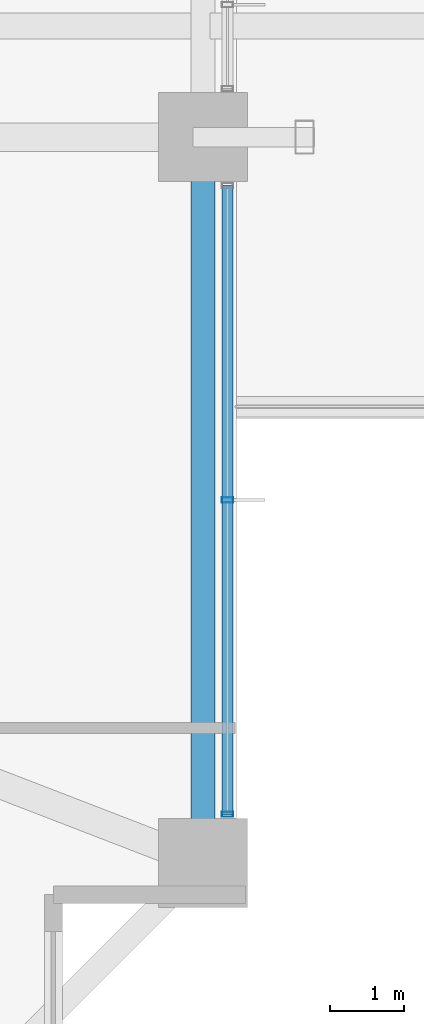
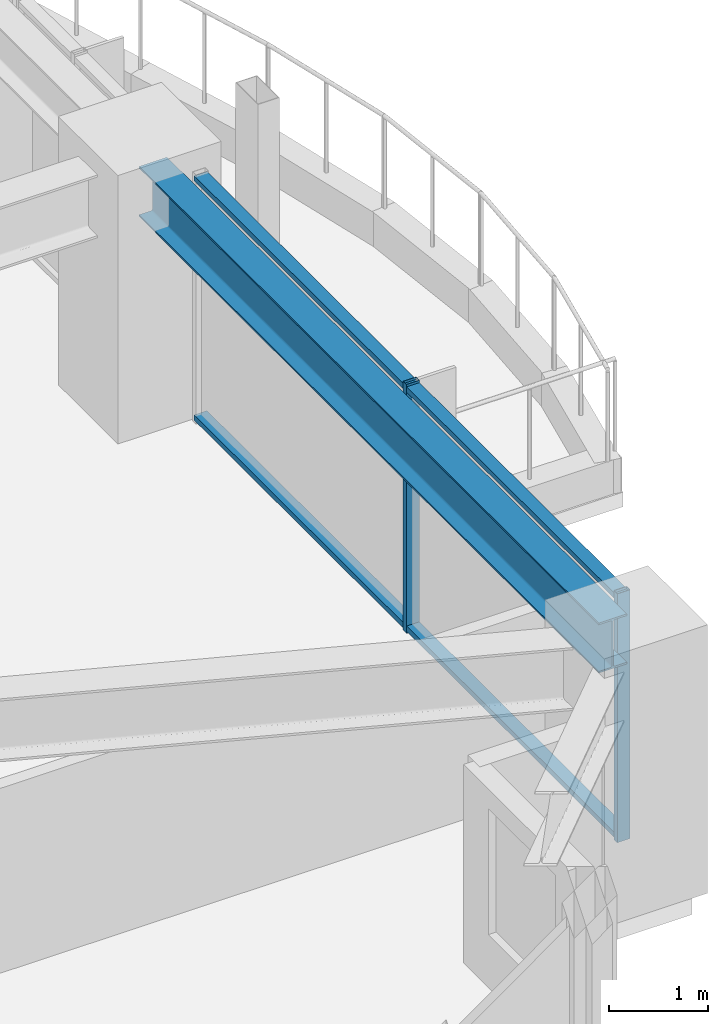
# One storey, part 13 of 36: 4 members, 1 beam, 1 element without a shape of its own.
"""IFC4 building model written with IfcOpenShell, lengths in metres."""

from ifc_helpers import new_model, si_unit, direction, frame, origin, origin_2d, place, context, subcontext, project, spatial, hollow_rectangle, i_section, extrude, material, material_profile, profile_set, type_object, element, aggregate, save


model = new_model("IFC4")

# Units and contexts
model_context = context("Model", 3, precision=1e-05, world=origin(), true_north=direction((0.0, 1.0)))
body_context = subcontext(model_context, "Body", "Model", "MODEL_VIEW")
ifc_project = project(units=[si_unit("LENGTHUNIT", "METRE"), si_unit("AREAUNIT", "SQUARE_METRE"), si_unit("VOLUMEUNIT", "CUBIC_METRE"), si_unit("PLANEANGLEUNIT", "RADIAN"), si_unit("MASSUNIT", "GRAM", prefix="KILO")], contexts=[model_context])

# Site, building, storey
site_placement = place(None, origin())
site = spatial("IfcSite", under=ifc_project, at=site_placement, CompositionType="ELEMENT")
building_placement = place(site_placement, origin())
building = spatial("IfcBuilding", under=site, at=building_placement, Name="Kolvaren Belvedere", CompositionType="ELEMENT")
storey_placement = place(building_placement, frame((0.0, 0.0, 46.89990234375)))
storey = spatial("IfcBuildingStorey", under=building, at=storey_placement, Name="L13", CompositionType="ELEMENT", Elevation=46.89990234375)

# Beam
ifc_material_1 = material(Name="Structural steel ASTM A992 Grade 50", Category="steel")
ifc_material_profile_1 = material_profile(ifc_material_1, i_section(OverallWidth=0.324951171875, OverallDepth=0.615966796875, WebThickness=0.013916015625, FlangeThickness=0.021484375, FilletRadius=0.02001953125, at=origin_2d()), Name="W24X117")
ifc_profile_set_1 = profile_set([ifc_material_profile_1], Name="Structural steel ASTM A992 Grade 50")
beam_type = type_object("IfcBeamType", Name="BM-SPAN-W24X117", PredefinedType="SPANDREL", material=ifc_profile_set_1)
beam_placement = place(storey_placement, frame((21.550048828125, -14.1298828125, 2.752197265625), z_axis=(0.0, 1.0, 0.0), x_axis=(-1.0, 0.0, 0.0)))
element("IfcBeam", 1, at=beam_placement, inside=storey, type_object=beam_type, Name="L13 Perimeter Spandrel E1-E2", PredefinedType="SPANDREL", context=body_context, shape_type="SweptSolid", body=[
    extrude(i_section(OverallWidth=0.324951171875, OverallDepth=0.615966796875, WebThickness=0.013916015625, FlangeThickness=0.021484375, FilletRadius=0.02001953125, at=origin_2d()), origin(), (0.0, 0.0, 1.0), 9.259765625),
])

# Curtain wall, members
ifc_material_2 = material(Name="Anodised pale-metal aluminium AA 6063-T6", Category="aluminium")
curtain_wall_type = type_object("IfcCurtainWallType", Name="CW-Z1-LOW", PredefinedType="NOTDEFINED", material=ifc_material_2)
curtain_wall_placement = place(storey_placement, origin())
curtain_wall = element("IfcCurtainWall", 2, at=curtain_wall_placement, inside=storey, type_object=curtain_wall_type, Name="L13 Unitised Curtain Wall FCW-L13-E2-B2", PredefinedType="NOTDEFINED")
ifc_material_3 = material(Name="Anodised pale-metal aluminium AA 6063-T6", Category="aluminium")
ifc_material_profile_2 = material_profile(ifc_material_3, hollow_rectangle(XDim=0.070068359375, YDim=0.14990234375, WallThickness=0.004150390625, at=origin_2d()), Name="ALU-MUL-150X70")
ifc_profile_set_2 = profile_set([ifc_material_profile_2], Name="Anodised pale-metal aluminium AA 6063-T6")
member_type_1 = type_object("IfcMemberType", Name="CW-MUL-150", PredefinedType="MULLION", material=ifc_profile_set_2)
member_1_placement = place(storey_placement, frame((21.8798828125, -9.5, 0.0), z_axis=(0.0, 0.0, 1.0), x_axis=(0.0, 1.0, 0.0)))
member_1 = element("IfcMember", 3, at=member_1_placement, type_object=member_type_1, Name="FCW-L13-E2-B2 Unitised Mullion 2", PredefinedType="MULLION", context=body_context, shape_type="SweptSolid", body=[
    extrude(hollow_rectangle(XDim=0.070068359375, YDim=0.14990234375, WallThickness=0.004150390625, at=origin_2d()), origin(), (0.0, 0.0, 1.0), 3.06005859375),
])
member_2_placement = place(storey_placement, frame((21.8798828125, -13.7451171875, 0.0), z_axis=(0.0, 0.0, 1.0), x_axis=(0.0, 1.0, 0.0)))
member_2 = element("IfcMember", 4, at=member_2_placement, type_object=member_type_1, Name="FCW-L13-E2-B2 Unitised Mullion 3", PredefinedType="MULLION", context=body_context, shape_type="SweptSolid", body=[
    extrude(hollow_rectangle(XDim=0.070068359375, YDim=0.14990234375, WallThickness=0.004150390625, at=origin_2d()), origin(), (0.0, 0.0, 1.0), 3.06005859375),
])
ifc_material_4 = material(Name="Anodised pale-metal aluminium AA 6063-T6", Category="aluminium")
ifc_material_profile_3 = material_profile(ifc_material_4, hollow_rectangle(XDim=0.06494140625, YDim=0.14990234375, WallThickness=0.00390625, at=origin_2d()), Name="ALU-TRN-150X65")
ifc_profile_set_3 = profile_set([ifc_material_profile_3], Name="Anodised pale-metal aluminium AA 6063-T6")
member_type_2 = type_object("IfcMemberType", Name="CW-TRN-150", PredefinedType="USERDEFINED", material=ifc_profile_set_3)
member_3_placement = place(storey_placement, frame((21.8798828125, -5.2548828125, 0.06005859375), z_axis=(0.0, -1.0, 0.0), x_axis=(0.0, 0.0, 1.0)))
member_3 = element("IfcMember", 5, at=member_3_placement, type_object=member_type_2, Name="FCW-L13-E2-B2 Sill Transom", ObjectType="TRANSOM", PredefinedType="USERDEFINED", context=body_context, shape_type="SweptSolid", body=[
    extrude(hollow_rectangle(XDim=0.06494140625, YDim=0.14990234375, WallThickness=0.00390625, at=origin_2d()), origin(), (0.0, 0.0, 1.0), 8.490234375),
])
member_4_placement = place(storey_placement, frame((21.8798828125, -5.2548828125, 3.0), z_axis=(0.0, -1.0, 0.0), x_axis=(0.0, 0.0, 1.0)))
member_4 = element("IfcMember", 6, at=member_4_placement, type_object=member_type_2, Name="FCW-L13-E2-B2 Head Transom", ObjectType="TRANSOM", PredefinedType="USERDEFINED", context=body_context, shape_type="SweptSolid", body=[
    extrude(hollow_rectangle(XDim=0.06494140625, YDim=0.14990234375, WallThickness=0.00390625, at=origin_2d()), origin(), (0.0, 0.0, 1.0), 8.490234375),
])
aggregate(curtain_wall, [member_1, member_2, member_3, member_4])

save(model, "model.ifc")
